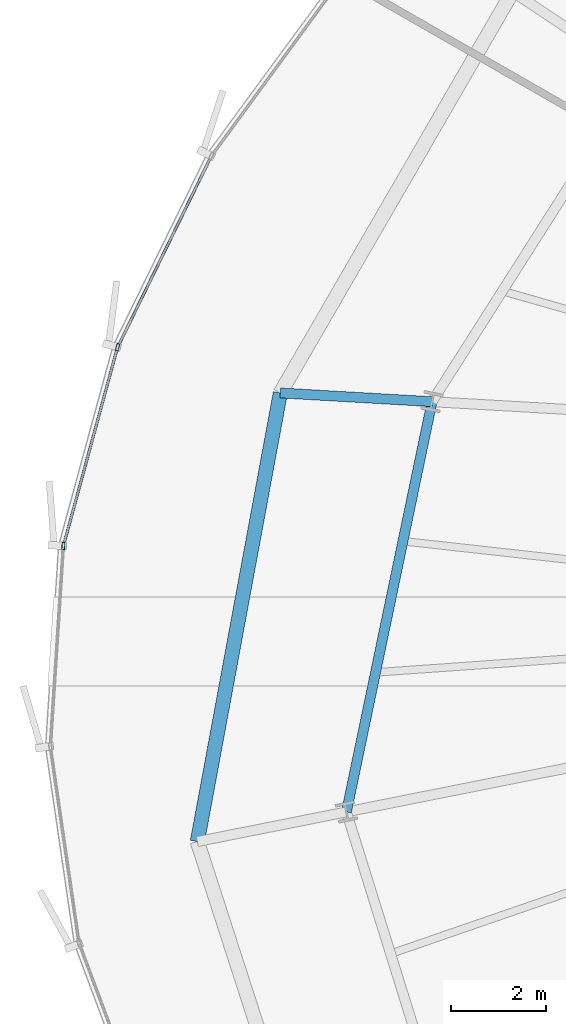
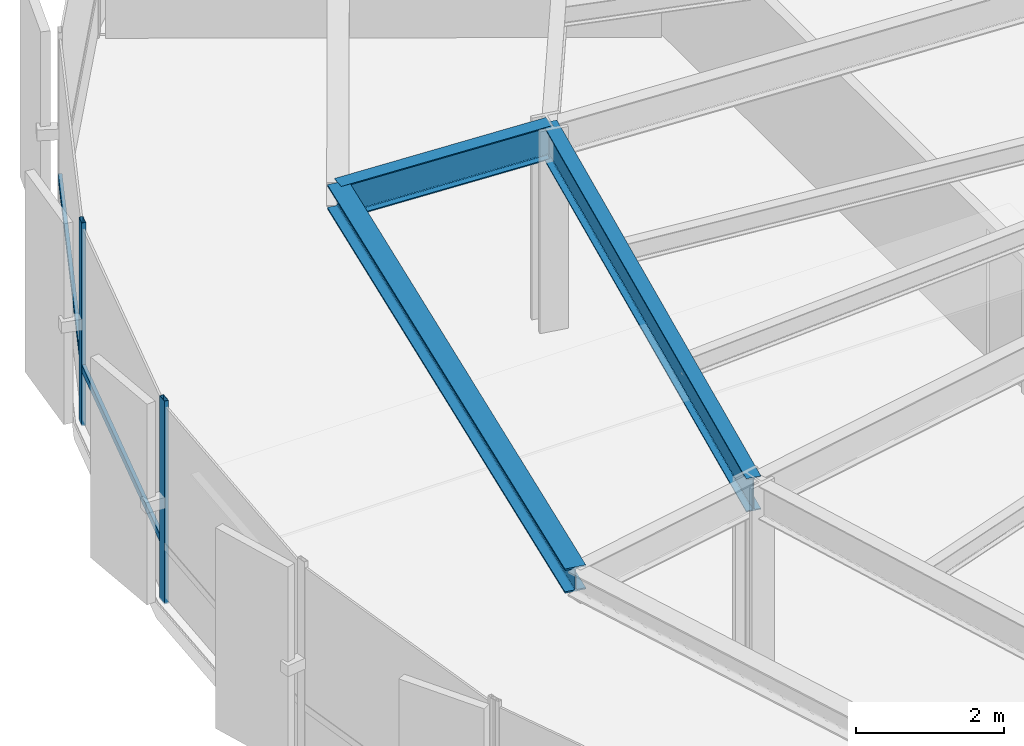
# One storey, part 9 of 35: 4 members, 3 beams, 1 element without a shape of its own.
"""IFC4 building model written with IfcOpenShell, lengths in metres."""

from ifc_helpers import new_model, si_unit, direction, frame, origin, origin_2d, place, context, subcontext, project, spatial, hollow_rectangle, i_section, extrude, source, transform, mapped, material, layer, layer_set, material_profile, profile_set, type_object, element, aggregate, save


model = new_model("IFC4")

# Units and contexts
model_context = context("Model", 3, precision=1e-05, world=origin(), true_north=direction((0.0, 1.0)))
body_context = subcontext(model_context, "Body", "Model", "MODEL_VIEW")
ifc_project = project(units=[si_unit("LENGTHUNIT", "METRE"), si_unit("AREAUNIT", "SQUARE_METRE"), si_unit("VOLUMEUNIT", "CUBIC_METRE"), si_unit("PLANEANGLEUNIT", "RADIAN"), si_unit("MASSUNIT", "GRAM", prefix="KILO"), si_unit("THERMODYNAMICTEMPERATUREUNIT", "KELVIN")], contexts=[model_context])

# Site, building, storey
site_placement = place(None, origin())
site = spatial("IfcSite", under=ifc_project, at=site_placement, CompositionType="ELEMENT")
building_placement = place(site_placement, origin())
building = spatial("IfcBuilding", under=site, at=building_placement, Name="Kethvar Cultural Tower", CompositionType="ELEMENT")
storey_placement = place(building_placement, frame((0.0, 0.0, 92.800048828125)))
storey = spatial("IfcBuildingStorey", under=building, at=storey_placement, Name="L22", CompositionType="ELEMENT", Elevation=92.800048828125)

# Beams
ifc_material_1 = material(Name="Steel S355J2", Category="steel")
ifc_material_profile_1 = material_profile(ifc_material_1, i_section(OverallWidth=0.2099609375, OverallDepth=0.550048828125, WebThickness=0.010986328125, FlangeThickness=0.01708984375, FilletRadius=0.02392578125, at=origin_2d()), Name="Steel S355J2 — IPE550")
ifc_profile_set_1 = profile_set([ifc_material_profile_1], Name="Steel S355J2 — IPE550")
beam_type_1 = type_object("IfcBeamType", Name="BM-IPE550", PredefinedType="BEAM", material=ifc_profile_set_1)
shared_shape_1 = source(origin(), body_context, "Body", "SweptSolid", [
    extrude(i_section(OverallWidth=0.2099609375, OverallDepth=0.550048828125, WebThickness=0.010986328125, FlangeThickness=0.01708984375, FilletRadius=0.02392578125, at=origin_2d()), origin(), (0.0, 0.0, 1.0), 3.2001953125),
])
beam_1_placement = place(storey_placement, frame((25.988525390625, 31.939697265625, 3.072998046875), z_axis=(-0.998357274949, 0.057295301352, 0.0), x_axis=(-0.057295301352, -0.998357274949, 0.0)))
element("IfcBeam", 1, at=beam_1_placement, inside=storey, type_object=beam_type_1, Name="L22 Perimeter Cantilever Beam RC-08", PredefinedType="BEAM", context=body_context, shape_type="MappedRepresentation", body=[
    mapped(shared_shape_1, transform((0.0, 0.0, 0.0), scale=1.0)),
])
shared_shape_2 = source(origin(), body_context, "Body", "SweptSolid", [
    extrude(i_section(OverallWidth=0.2099609375, OverallDepth=0.550048828125, WebThickness=0.010986328125, FlangeThickness=0.01708984375, FilletRadius=0.02392578125, at=origin_2d()), origin(), (0.0, 0.0, 1.0), 8.82421875),
])
beam_2_placement = place(storey_placement, frame((25.988525390625, 31.939697265625, 3.072998046875), z_axis=(-0.204350879122, -0.978897705688, 0.0), x_axis=(0.978897705688, -0.204350879122, 0.0)))
element("IfcBeam", 2, at=beam_2_placement, inside=storey, type_object=beam_type_1, Name="L22 Column Ring Tie Beam CR-08", PredefinedType="BEAM", context=body_context, shape_type="MappedRepresentation", body=[
    mapped(shared_shape_2, transform((0.0, 0.0, 0.0), scale=1.0)),
])
ifc_material_profile_2 = material_profile(ifc_material_1, i_section(OverallWidth=0.300048828125, OverallDepth=0.39990234375, WebThickness=0.013427734375, FlangeThickness=0.02392578125, FilletRadius=0.027099609375, at=origin_2d()), Name="Steel S355J2 — HEB400")
ifc_profile_set_2 = profile_set([ifc_material_profile_2], Name="Steel S355J2 — HEB400")
beam_type_2 = type_object("IfcBeamType", Name="BM-SP400", PredefinedType="SPANDREL", material=ifc_profile_set_2)
shared_shape_3 = source(origin(), body_context, "Body", "SweptSolid", [
    extrude(i_section(OverallWidth=0.300048828125, OverallDepth=0.39990234375, WebThickness=0.013427734375, FlangeThickness=0.02392578125, FilletRadius=0.027099609375, at=origin_2d()), origin(), (0.0, 0.0, 1.0), 9.605712890625),
])
beam_3_placement = place(storey_placement, frame((22.793701171875, 32.123046875, 3.14794921875), z_axis=(-0.1818526217, -0.983325797476, 0.0), x_axis=(0.983325797476, -0.1818526217, 0.0)))
element("IfcBeam", 3, at=beam_3_placement, inside=storey, type_object=beam_type_2, Name="L22 Perimeter Spandrel Beam SP-08", PredefinedType="SPANDREL", context=body_context, shape_type="MappedRepresentation", body=[
    mapped(shared_shape_3, transform((0.0, 0.0, 0.0), scale=1.0)),
])

# Curtain wall, members
ifc_material_2 = material(Name="Aluminium 6063-T6", Category="aluminium")
ifc_layer = layer(ifc_material_2, 0.179931640625, Name="Aluminium 6063-T6", Category="aluminium")
ifc_layer_set = layer_set([ifc_layer], Name="Aluminium 6063-T6 (180 mm)")
curtain_wall_type = type_object("IfcCurtainWallType", Name="CW-SYS-03-Z2", PredefinedType="NOTDEFINED", material=ifc_layer_set)
curtain_wall_placement = place(storey_placement, origin())
curtain_wall = element("IfcCurtainWall", 4, at=curtain_wall_placement, inside=storey, type_object=curtain_wall_type, Name="L22 Curtain Wall Run 03", PredefinedType="NOTDEFINED")
ifc_material_profile_3 = material_profile(ifc_material_2, hollow_rectangle(XDim=0.06005859375, YDim=0.14990234375, WallThickness=0.0048828125, at=origin_2d()), Name="Aluminium 6063-T6 — RHS150x60x5")
ifc_profile_set_3 = profile_set([ifc_material_profile_3], Name="Aluminium 6063-T6 — RHS150x60x5")
member_type_1 = type_object("IfcMemberType", Name="CW-SYS-03-Z2-MUL", PredefinedType="MULLION", material=ifc_profile_set_3)
shared_shape_4 = source(origin(), body_context, "Body", "SweptSolid", [
    extrude(hollow_rectangle(XDim=0.06005859375, YDim=0.14990234375, WallThickness=0.0048828125, at=origin_2d()), origin(), (0.0, 0.0, 1.0), 3.349853515625),
])
member_1_placement = place(storey_placement, frame((19.366943359375, 33.087890625, 0.0), z_axis=(0.0, 0.0, 1.0), x_axis=(0.96486990991, -0.262728104606, 0.0)))
member_1 = element("IfcMember", 5, at=member_1_placement, type_object=member_type_1, Name="CW-L22-R03 Mullion 4", PredefinedType="MULLION", context=body_context, shape_type="MappedRepresentation", body=[
    mapped(shared_shape_4, transform((0.0, 0.0, 0.0), scale=1.0)),
])
member_2_placement = place(storey_placement, frame((18.224609375, 28.901611328125, 0.0), z_axis=(0.0, 0.0, 1.0), x_axis=(0.997915618272, -0.064532308253, 0.0)))
member_2 = element("IfcMember", 6, at=member_2_placement, type_object=member_type_1, Name="CW-L22-R03 Mullion 5", PredefinedType="MULLION", context=body_context, shape_type="MappedRepresentation", body=[
    mapped(shared_shape_4, transform((0.0, 0.0, 0.0), scale=1.0)),
])
ifc_material_profile_4 = material_profile(ifc_material_2, hollow_rectangle(XDim=0.054931640625, YDim=0.1201171875, WallThickness=0.00390625, at=origin_2d()), Name="Aluminium 6063-T6 — RHS120x55x4")
ifc_profile_set_4 = profile_set([ifc_material_profile_4], Name="Aluminium 6063-T6 — RHS120x55x4")
member_type_2 = type_object("IfcMemberType", Name="CW-SYS-03-Z2-TRN", PredefinedType="USERDEFINED", material=ifc_profile_set_4)
shared_shape_5 = source(origin(), body_context, "Body", "SweptSolid", [
    extrude(hollow_rectangle(XDim=0.054931640625, YDim=0.1201171875, WallThickness=0.00390625, at=origin_2d()), origin(), (0.0, 0.0, 1.0), 4.4208984375),
])
member_3_placement = place(storey_placement, frame((21.3232421875, 37.076416015625, 0.949951171875), z_axis=(-0.439975613419, -0.898009721326, 0.0), x_axis=(0.898009721326, -0.439975613419, 0.0)))
member_3 = element("IfcMember", 7, at=member_3_placement, type_object=member_type_2, Name="CW-L22-R03 Transom 3", ObjectType="TRANSOM", PredefinedType="USERDEFINED", context=body_context, shape_type="MappedRepresentation", body=[
    mapped(shared_shape_5, transform((0.0, 0.0, 0.0), scale=1.0)),
])
shared_shape_6 = source(origin(), body_context, "Body", "SweptSolid", [
    extrude(hollow_rectangle(XDim=0.054931640625, YDim=0.1201171875, WallThickness=0.00390625, at=origin_2d()), origin(), (0.0, 0.0, 1.0), 4.276123046875),
])
member_4_placement = place(storey_placement, frame((19.35546875, 33.04638671875, 0.949951171875), z_axis=(-0.262687421317, -0.964880986797, 0.0), x_axis=(0.964880986797, -0.262687421317, 0.0)))
member_4 = element("IfcMember", 8, at=member_4_placement, type_object=member_type_2, Name="CW-L22-R03 Transom 4", ObjectType="TRANSOM", PredefinedType="USERDEFINED", context=body_context, shape_type="MappedRepresentation", body=[
    mapped(shared_shape_6, transform((0.0, 0.0, 0.0), scale=1.0)),
])
aggregate(curtain_wall, [member_1, member_2, member_3, member_4])

save(model, "model.ifc")
